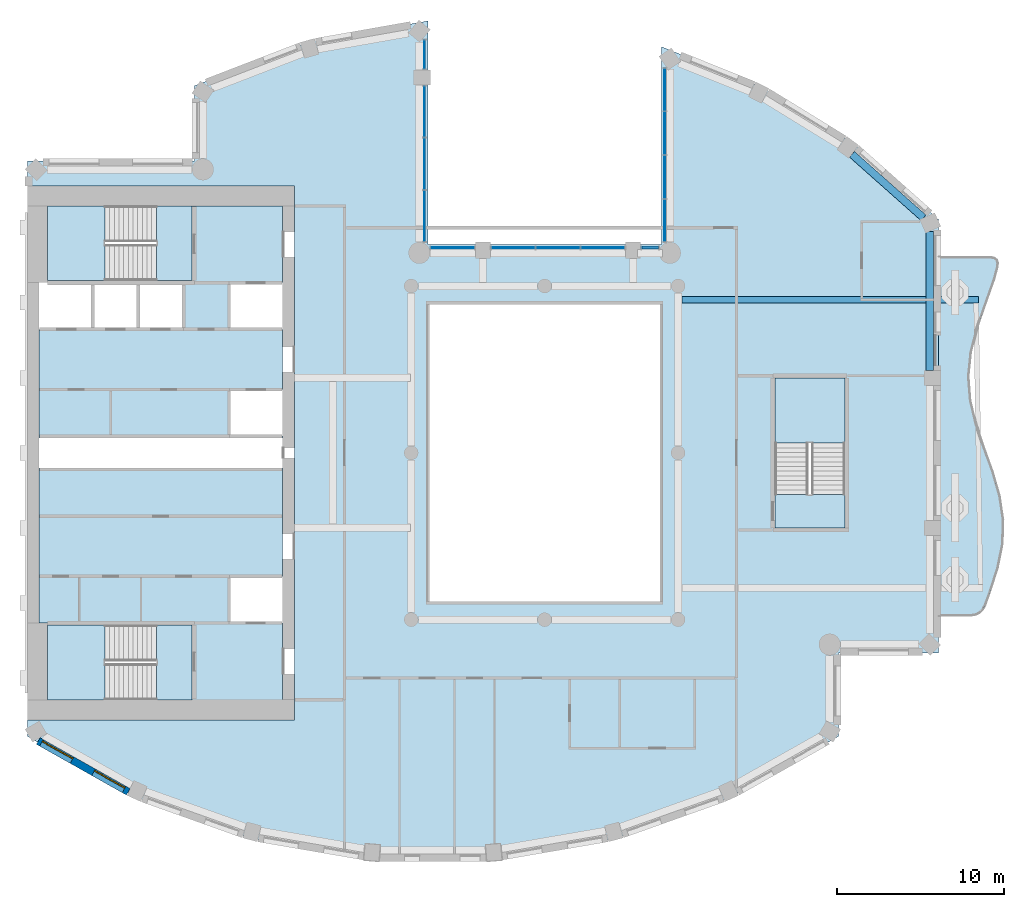
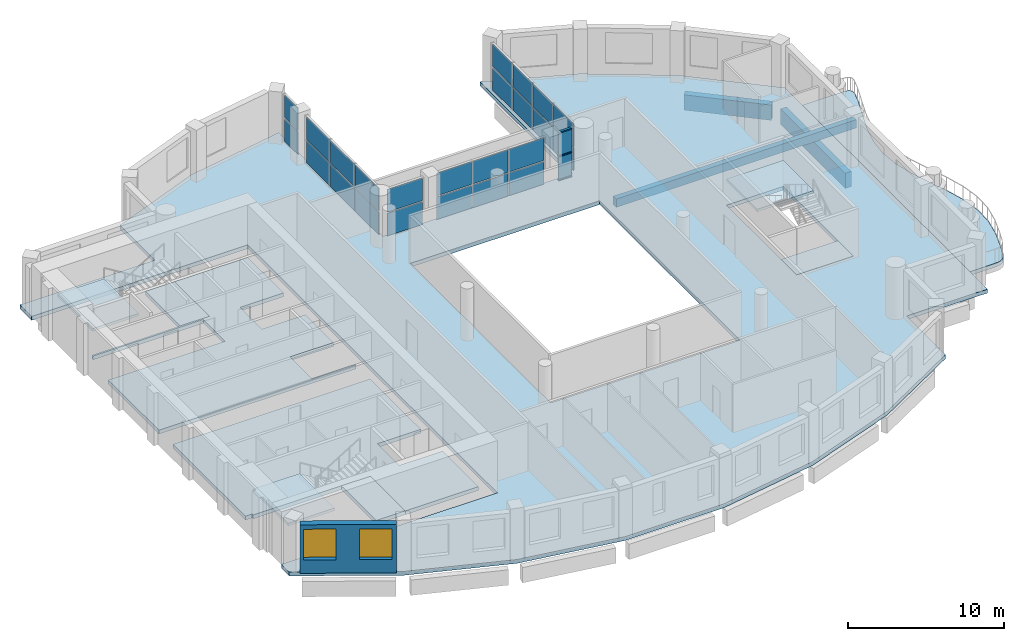
# One storey, part 3 of 14: 26 plates, 10 slabs, 3 beams, 3 members, 2 windows, 1 wall, 2 openings, 9 elements without a shape of their own.
"""IFC4 building model written with IfcOpenShell, lengths in metres."""

from ifc_helpers import new_model, si_unit, direction, frame, frame_2d, origin, origin_2d, place, context, subcontext, project, spatial, polyline, rectangle, outline, extrude, material, layer, layer_set, material_profile, profile_set, type_object, element, fill, aggregate, save


model = new_model("IFC4")

# Units and contexts
model_context = context("Model", 3, precision=1e-05, world=origin(), true_north=direction((0.0, 1.0)))
body_context = subcontext(model_context, "Body", "Model", "MODEL_VIEW")
ifc_project = project(units=[si_unit("LENGTHUNIT", "METRE"), si_unit("AREAUNIT", "SQUARE_METRE"), si_unit("VOLUMEUNIT", "CUBIC_METRE"), si_unit("PLANEANGLEUNIT", "RADIAN"), si_unit("MASSUNIT", "GRAM", prefix="KILO")], contexts=[model_context])

# Site, building, storey
site_placement = place(None, origin())
site = spatial("IfcSite", under=ifc_project, at=site_placement, CompositionType="ELEMENT")
building_placement = place(site_placement, origin())
building = spatial("IfcBuilding", under=site, at=building_placement, Name="Cypress Arch Tower", CompositionType="ELEMENT")
storey_placement = place(building_placement, frame((0.0, 0.0, 263.89990234375)))
storey = spatial("IfcBuildingStorey", under=building, at=storey_placement, Name="L59", CompositionType="ELEMENT", Elevation=263.89990234375)

# Beams
ifc_material_1 = material(Name="Concrete C50/60", Category="concrete")
ifc_material_profile_1 = material_profile(ifc_material_1, rectangle(XDim=0.39990234375, YDim=0.64990234375, at=origin_2d()), Name="RC 400x650")
ifc_profile_set_1 = profile_set([ifc_material_profile_1], Name="Concrete C50/60")
beam_type_1 = type_object("IfcBeamType", Name="Cantilever beam RC 400x650 Concrete C50/60", PredefinedType="BEAM", material=ifc_profile_set_1)
beam_1_placement = place(storey_placement, frame((9.22509765625, 9.1826171875, -0.625), z_axis=(1.0, 0.0, 0.0), x_axis=(0.0, 1.0, 0.0)))
element("IfcBeam", 1, at=beam_1_placement, inside=storey, type_object=beam_type_1, Name="Cantilever beam L59 C17 2", PredefinedType="BEAM", context=body_context, shape_type="SweptSolid", body=[
    extrude(rectangle(XDim=0.39990234375, YDim=0.64990234375, at=origin_2d()), origin(), (0.0, 0.0, 1.0), 17.788330078125),
])
ifc_material_2 = material(Name="Concrete C50/60", Category="concrete")
ifc_material_profile_2 = material_profile(ifc_material_2, rectangle(XDim=0.449951171875, YDim=1.199951171875, at=origin_2d()), Name="RC 450x1200")
ifc_profile_set_2 = profile_set([ifc_material_profile_2], Name="Concrete C50/60")
beam_type_2 = type_object("IfcBeamType", Name="Spandrel beam RC 450x1200 Concrete C50/60", PredefinedType="SPANDREL", material=ifc_profile_set_2)
beam_2_placement = place(storey_placement, frame((24.074951171875, 4.949951171875, -1.5498046875), z_axis=(0.0, 1.0, 0.0), x_axis=(-1.0, 0.0, 0.0)))
element("IfcBeam", 2, at=beam_2_placement, inside=storey, type_object=beam_type_2, Name="Spandrel beam L59 BC17-2", PredefinedType="SPANDREL", context=body_context, shape_type="SweptSolid", body=[
    extrude(rectangle(XDim=0.449951171875, YDim=1.199951171875, at=origin_2d()), origin(), (0.0, 0.0, 1.0), 8.32080078125),
])
beam_3_placement = place(storey_placement, frame((23.706298828125, 14.091796875, -1.5498046875), z_axis=(-0.747555073917, 0.664199827959, 0.0), x_axis=(-0.664199827959, -0.747555073917, 0.0)))
element("IfcBeam", 3, at=beam_3_placement, inside=storey, type_object=beam_type_2, Name="Spandrel beam L59 BC18-0", PredefinedType="SPANDREL", context=body_context, shape_type="SweptSolid", body=[
    extrude(rectangle(XDim=0.449951171875, YDim=1.199951171875, at=origin_2d()), origin(), (0.0, 0.0, 1.0), 5.72900390625),
])

# Curtain wall, members
ifc_material_3 = material(Name="Anodised aluminium, bronze finish, clear laminated double glazing", Category="aluminium")
curtain_wall_type = type_object("IfcCurtainWallType", Name="Curtain wall CW7 slot glazing", PredefinedType="NOTDEFINED", material=ifc_material_3)
curtain_wall_1_placement = place(storey_placement, origin())
curtain_wall_1 = element("IfcCurtainWall", 4, at=curtain_wall_1_placement, inside=storey, type_object=curtain_wall_type, Name="Curtain wall L59 slot C01.0", PredefinedType="NOTDEFINED")
ifc_material_4 = material(Name="Anodised aluminium, bronze finish", Category="aluminium")
ifc_material_profile_3 = material_profile(ifc_material_4, rectangle(XDim=0.179931640625, YDim=0.0849609375, at=origin_2d()), Name="Transom 85x180")
ifc_profile_set_3 = profile_set([ifc_material_profile_3], Name="Anodised aluminium, bronze finish")
member_type = type_object("IfcMemberType", Name="Transom CW7 85x180", PredefinedType="USERDEFINED", material=ifc_profile_set_3)
member_1_placement = place(storey_placement, frame((7.8134765625, 12.300048828125, 0.04248046875), z_axis=(-1.0, 0.0, 0.0), x_axis=(0.0, -1.0, 0.0)))
member_1 = element("IfcMember", 5, at=member_1_placement, type_object=member_type, Name="CW7 transom 1.1", ObjectType="TRANSOM", PredefinedType="USERDEFINED", context=body_context, shape_type="SweptSolid", body=[
    extrude(rectangle(XDim=0.179931640625, YDim=0.0849609375, at=origin_2d()), origin(), (0.0, 0.0, 1.0), 0.978515625),
])
member_2_placement = place(storey_placement, frame((7.8134765625, 12.300048828125, 1.900146484375), z_axis=(-1.0, 0.0, 0.0), x_axis=(0.0, -1.0, 0.0)))
member_2 = element("IfcMember", 6, at=member_2_placement, type_object=member_type, Name="CW7 transom 1.2", ObjectType="TRANSOM", PredefinedType="USERDEFINED", context=body_context, shape_type="SweptSolid", body=[
    extrude(rectangle(XDim=0.179931640625, YDim=0.0849609375, at=origin_2d()), origin(), (0.0, 0.0, 1.0), 0.978515625),
])
member_3_placement = place(storey_placement, frame((7.8134765625, 12.300048828125, 3.757568359375), z_axis=(-1.0, 0.0, 0.0), x_axis=(0.0, -1.0, 0.0)))
member_3 = element("IfcMember", 7, at=member_3_placement, type_object=member_type, Name="CW7 transom 1.3", ObjectType="TRANSOM", PredefinedType="USERDEFINED", context=body_context, shape_type="SweptSolid", body=[
    extrude(rectangle(XDim=0.179931640625, YDim=0.0849609375, at=origin_2d()), origin(), (0.0, 0.0, 1.0), 0.978515625),
])

# Slabs
ifc_material_5 = material(Name="Concrete C40/50", Category="concrete")
ifc_layer_1 = layer(ifc_material_5, 0.300048828125)
ifc_layer_set_1 = layer_set([ifc_layer_1], Name="Balcony slab BS300")
slab_type_1 = type_object("IfcSlabType", Name="Balcony slab BS300", PredefinedType="USERDEFINED", material=ifc_layer_set_1)
slab_1_placement = place(storey_placement, frame((0.0, 0.0, -0.2998046875)))
element("IfcSlab", 8, at=slab_1_placement, inside=storey, type_object=slab_type_1, Name="Balcony slab L59-C17", ObjectType="BALCONY SLAB", PredefinedType="USERDEFINED", context=body_context, shape_type="SweptSolid", body=[
    extrude(outline(polyline([(24.60009765625, -9.75), (26.4921875, -9.75), (26.806884765625, -9.709716796875), (27.065185546875, -9.5888671875), (27.266845703125, -9.38720703125), (27.412109375, -9.10498046875), (27.697998046875, -8.316650390625), (28.1572265625, -6.88330078125), (28.44287109375, -5.449951171875), (28.485107421875, -4.0166015625), (28.273681640625, -2.583251953125), (27.8603515625, -1.14990234375), (27.346435546875, 0.283447265625), (26.85791015625, 1.716552734375), (26.514404296875, 3.14990234375), (26.400390625, 4.583251953125), (26.543701171875, 6.0166015625), (26.9091796875, 7.449951171875), (27.4072265625, 8.88330078125), (27.915771484375, 10.316650390625), (28.132568359375, 11.10498046875), (28.16845703125, 11.38720703125), (28.098388671875, 11.5888671875), (27.922607421875, 11.709716796875), (27.64111328125, 11.75), (24.60009765625, 11.75), (24.60009765625, -9.75)])), origin(), (0.0, 0.0, 1.0), 0.2998046875),
])
ifc_material_6 = material(Name="Concrete C40/50", Category="concrete")
ifc_layer_2 = layer(ifc_material_6, 0.300048828125)
ifc_layer_set_2 = layer_set([ifc_layer_2], Name="Core floor CF300")
slab_type_2 = type_object("IfcSlabType", Name="Core floor CF300", PredefinedType="FLOOR", material=ifc_layer_set_2)
slab_2_placement = place(storey_placement, frame((0.0, 0.0, -0.2998046875)))
element("IfcSlab", 9, at=slab_2_placement, inside=storey, type_object=slab_type_2, Name="Core floor", PredefinedType="FLOOR", context=body_context, shape_type="SweptSolid", body=[
    extrude(outline(polyline([(-28.89990234375, -10.199951171875), (-29.300048828125, -10.199951171875), (-29.300048828125, -0.89990234375), (-28.89990234375, -0.89990234375), (-15.10009765625, -0.89990234375), (-14.699951171875, -0.89990234375), (-14.699951171875, -7.39990234375), (-15.10009765625, -7.39990234375), (-17.919921875, -7.39990234375), (-17.919921875, -10.199951171875), (-15.10009765625, -10.199951171875), (-14.699951171875, -10.199951171875), (-14.699951171875, -14.800048828125), (-15.10009765625, -14.800048828125), (-20.125, -14.800048828125), (-20.125, -10.324951171875), (-22.27490234375, -10.324951171875), (-28.800048828125, -10.324951171875), (-28.800048828125, -10.199951171875), (-28.89990234375, -10.199951171875)])), origin(), (0.0, 0.0, 1.0), 0.2998046875),
])
slab_3_placement = place(storey_placement, frame((0.0, 0.0, -0.2998046875)))
element("IfcSlab", 10, at=slab_3_placement, inside=storey, type_object=slab_type_2, Name="Core floor", PredefinedType="FLOOR", context=body_context, shape_type="SweptSolid", body=[
    extrude(outline(polyline([(-22.27490234375, -10.324951171875), (-22.27490234375, -14.800048828125), (-20.125, -14.800048828125), (-20.125, -10.324951171875), (-22.27490234375, -10.324951171875)])), origin(), (0.0, 0.0, 1.0), 0.2998046875),
])
slab_4_placement = place(storey_placement, frame((0.0, 0.0, -0.2998046875)))
element("IfcSlab", 11, at=slab_4_placement, inside=storey, type_object=slab_type_2, Name="Core floor", PredefinedType="FLOOR", context=body_context, shape_type="SweptSolid", body=[
    extrude(outline(polyline([(-20.125, 14.800048828125), (-22.27490234375, 14.800048828125), (-22.27490234375, 10.324951171875), (-20.125, 10.324951171875), (-20.125, 14.800048828125)])), origin(), (0.0, 0.0, 1.0), 0.2998046875),
])
slab_5_placement = place(storey_placement, frame((0.0, 0.0, -0.2998046875)))
element("IfcSlab", 12, at=slab_5_placement, inside=storey, type_object=slab_type_2, Name="Stair floor landing", PredefinedType="FLOOR", context=body_context, shape_type="SweptSolid", body=[
    extrude(outline(polyline([(19.0, -4.5), (19.0, -2.5), (14.800048828125, -2.5), (14.800048828125, -4.5), (19.0, -4.5)])), origin(), (0.0, 0.0, 1.0), 0.2998046875),
])
slab_6_placement = place(storey_placement, frame((0.0, 0.0, -0.2998046875)))
element("IfcSlab", 13, at=slab_6_placement, inside=storey, type_object=slab_type_2, Name="Core floor", PredefinedType="FLOOR", context=body_context, shape_type="SweptSolid", body=[
    extrude(outline(polyline([(-20.639892578125, 10.199951171875), (-23.360107421875, 10.199951171875), (-26.080078125, 10.199951171875), (-28.800048828125, 10.199951171875), (-28.800048828125, 10.324951171875), (-22.27490234375, 10.324951171875), (-20.125, 10.324951171875), (-20.125, 14.800048828125), (-15.10009765625, 14.800048828125), (-14.699951171875, 14.800048828125), (-14.699951171875, 10.199951171875), (-15.10009765625, 10.199951171875), (-17.919921875, 10.199951171875), (-17.919921875, 7.39990234375), (-15.10009765625, 7.39990234375), (-14.699951171875, 7.39990234375), (-14.699951171875, 3.800048828125), (-15.10009765625, 3.800048828125), (-17.919921875, 3.800048828125), (-17.919921875, 1.5), (-17.919921875, 1.0), (-17.5, 1.0), (-15.10009765625, 1.0), (-14.699951171875, 1.0), (-14.699951171875, 0.89990234375), (-15.10009765625, 0.89990234375), (-17.5, 0.89990234375), (-18.300048828125, 0.89990234375), (-28.89990234375, 0.89990234375), (-29.300048828125, 0.89990234375), (-29.300048828125, 1.5), (-29.300048828125, 7.39990234375), (-28.89990234375, 7.39990234375), (-26.080078125, 7.39990234375), (-23.360107421875, 7.39990234375), (-20.639892578125, 7.39990234375), (-20.639892578125, 10.199951171875)])), origin(), (0.0, 0.0, 1.0), 0.2998046875),
])

# Curtain wall, plates
curtain_wall_2_placement = place(storey_placement, origin())
curtain_wall_2 = element("IfcCurtainWall", 14, at=curtain_wall_2_placement, inside=storey, type_object=curtain_wall_type, Name="Curtain wall L59 slot C00.0", PredefinedType="NOTDEFINED")
ifc_material_7 = material(Name="Clear laminated double glazing", Category="glass")
ifc_layer_3 = layer(ifc_material_7, 0.0439453125)
ifc_layer_set_3 = layer_set([ifc_layer_3], Name="Glass panel CW7 44")
plate_type = type_object("IfcPlateType", Name="Glass panel CW7 44", PredefinedType="CURTAIN_PANEL", material=ifc_layer_set_3)
plate_1_placement = place(storey_placement, frame((8.199951171875, 21.768798828125, 0.085205078125), z_axis=(0.0, 0.0, 1.0), x_axis=(0.0, -1.0, 0.0)))
plate_1 = element("IfcPlate", 15, at=plate_1_placement, type_object=plate_type, Name="CW7 panel 1.1", PredefinedType="CURTAIN_PANEL", context=body_context, shape_type="SweptSolid", body=[
    extrude(rectangle(XDim=2.497802734375, YDim=0.0439453125, at=origin_2d()), origin(), (0.0, 0.0, 1.0), 1.7724609375),
])
plate_2_placement = place(storey_placement, frame((8.199951171875, 21.768798828125, 1.942626953125), z_axis=(0.0, 0.0, 1.0), x_axis=(0.0, -1.0, 0.0)))
plate_2 = element("IfcPlate", 16, at=plate_2_placement, type_object=plate_type, Name="CW7 panel 1.2", PredefinedType="CURTAIN_PANEL", context=body_context, shape_type="SweptSolid", body=[
    extrude(rectangle(XDim=2.497802734375, YDim=0.0439453125, at=origin_2d()), origin(), (0.0, 0.0, 1.0), 1.7724609375),
])
plate_3_placement = place(storey_placement, frame((8.199951171875, 19.164794921875, 0.085205078125), z_axis=(0.0, 0.0, 1.0), x_axis=(0.0, -1.0, 0.0)))
plate_3 = element("IfcPlate", 17, at=plate_3_placement, type_object=plate_type, Name="CW7 panel 2.1", PredefinedType="CURTAIN_PANEL", context=body_context, shape_type="SweptSolid", body=[
    extrude(rectangle(XDim=2.540283203125, YDim=0.0439453125, at=origin_2d()), origin(), (0.0, 0.0, 1.0), 1.7724609375),
])
plate_4_placement = place(storey_placement, frame((8.199951171875, 19.164794921875, 1.942626953125), z_axis=(0.0, 0.0, 1.0), x_axis=(0.0, -1.0, 0.0)))
plate_4 = element("IfcPlate", 18, at=plate_4_placement, type_object=plate_type, Name="CW7 panel 2.2", PredefinedType="CURTAIN_PANEL", context=body_context, shape_type="SweptSolid", body=[
    extrude(rectangle(XDim=2.540283203125, YDim=0.0439453125, at=origin_2d()), origin(), (0.0, 0.0, 1.0), 1.7724609375),
])
plate_5_placement = place(storey_placement, frame((8.199951171875, 16.53955078125, 0.085205078125), z_axis=(0.0, 0.0, 1.0), x_axis=(0.0, -1.0, 0.0)))
plate_5 = element("IfcPlate", 19, at=plate_5_placement, type_object=plate_type, Name="CW7 panel 3.1", PredefinedType="CURTAIN_PANEL", context=body_context, shape_type="SweptSolid", body=[
    extrude(rectangle(XDim=2.540283203125, YDim=0.0439453125, at=origin_2d()), origin(), (0.0, 0.0, 1.0), 1.7724609375),
])
plate_6_placement = place(storey_placement, frame((8.199951171875, 16.53955078125, 1.942626953125), z_axis=(0.0, 0.0, 1.0), x_axis=(0.0, -1.0, 0.0)))
plate_6 = element("IfcPlate", 20, at=plate_6_placement, type_object=plate_type, Name="CW7 panel 3.2", PredefinedType="CURTAIN_PANEL", context=body_context, shape_type="SweptSolid", body=[
    extrude(rectangle(XDim=2.540283203125, YDim=0.0439453125, at=origin_2d()), origin(), (0.0, 0.0, 1.0), 1.7724609375),
])
plate_7_placement = place(storey_placement, frame((8.199951171875, 13.935302734375, 0.085205078125), z_axis=(0.0, 0.0, 1.0), x_axis=(0.0, -1.0, 0.0)))
plate_7 = element("IfcPlate", 21, at=plate_7_placement, type_object=plate_type, Name="CW7 panel 4.1", PredefinedType="CURTAIN_PANEL", context=body_context, shape_type="SweptSolid", body=[
    extrude(rectangle(XDim=2.497802734375, YDim=0.0439453125, at=origin_2d()), origin(), (0.0, 0.0, 1.0), 1.7724609375),
])
plate_8_placement = place(storey_placement, frame((8.199951171875, 13.935302734375, 1.942626953125), z_axis=(0.0, 0.0, 1.0), x_axis=(0.0, -1.0, 0.0)))
plate_8 = element("IfcPlate", 22, at=plate_8_placement, type_object=plate_type, Name="CW7 panel 4.2", PredefinedType="CURTAIN_PANEL", context=body_context, shape_type="SweptSolid", body=[
    extrude(rectangle(XDim=2.497802734375, YDim=0.0439453125, at=origin_2d()), origin(), (0.0, 0.0, 1.0), 1.7724609375),
])
aggregate(curtain_wall_2, [plate_1, plate_2, plate_3, plate_4, plate_5, plate_6, plate_7, plate_8])

# Plate
plate_9_placement = place(storey_placement, frame((7.32421875, 12.300048828125, 0.085205078125), z_axis=(0.0, 0.0, 1.0), x_axis=(-1.0, 0.0, 0.0)))
plate_9 = element("IfcPlate", 23, at=plate_9_placement, type_object=plate_type, Name="CW7 panel 1.1", PredefinedType="CURTAIN_PANEL", context=body_context, shape_type="SweptSolid", body=[
    extrude(rectangle(XDim=0.978515625, YDim=0.0439453125, at=origin_2d()), origin(), (0.0, 0.0, 1.0), 1.7724609375),
])

plate_10_placement = place(storey_placement, frame((7.32421875, 12.300048828125, 1.942626953125), z_axis=(0.0, 0.0, 1.0), x_axis=(-1.0, 0.0, 0.0)))
plate_10 = element("IfcPlate", 24, at=plate_10_placement, type_object=plate_type, Name="CW7 panel 1.2", PredefinedType="CURTAIN_PANEL", context=body_context, shape_type="SweptSolid", body=[
    extrude(rectangle(XDim=0.978515625, YDim=0.0439453125, at=origin_2d()), origin(), (0.0, 0.0, 1.0), 1.7724609375),
])

aggregate(curtain_wall_1, [member_1, member_2, member_3, plate_9, plate_10])

# Curtain wall, plates
curtain_wall_3_placement = place(storey_placement, origin())
curtain_wall_3 = element("IfcCurtainWall", 25, at=curtain_wall_3_placement, inside=storey, type_object=curtain_wall_type, Name="Curtain wall L59 slot C01.1", PredefinedType="NOTDEFINED")
plate_11_placement = place(storey_placement, frame((4.478759765625, 12.300048828125, 0.085205078125), z_axis=(0.0, 0.0, 1.0), x_axis=(-1.0, 0.0, 0.0)))
plate_11 = element("IfcPlate", 26, at=plate_11_placement, type_object=plate_type, Name="CW7 panel 1.1", PredefinedType="CURTAIN_PANEL", context=body_context, shape_type="SweptSolid", body=[
    extrude(rectangle(XDim=2.572509765625, YDim=0.0439453125, at=origin_2d()), origin(), (0.0, 0.0, 1.0), 1.7724609375),
])
plate_12_placement = place(storey_placement, frame((4.478759765625, 12.300048828125, 1.942626953125), z_axis=(0.0, 0.0, 1.0), x_axis=(-1.0, 0.0, 0.0)))
plate_12 = element("IfcPlate", 27, at=plate_12_placement, type_object=plate_type, Name="CW7 panel 1.2", PredefinedType="CURTAIN_PANEL", context=body_context, shape_type="SweptSolid", body=[
    extrude(rectangle(XDim=2.572509765625, YDim=0.0439453125, at=origin_2d()), origin(), (0.0, 0.0, 1.0), 1.7724609375),
])
plate_13_placement = place(storey_placement, frame((1.800048828125, 12.300048828125, 0.085205078125), z_axis=(0.0, 0.0, 1.0), x_axis=(-1.0, 0.0, 0.0)))
plate_13 = element("IfcPlate", 28, at=plate_13_placement, type_object=plate_type, Name="CW7 panel 2.1", PredefinedType="CURTAIN_PANEL", context=body_context, shape_type="SweptSolid", body=[
    extrude(rectangle(XDim=2.614990234375, YDim=0.0439453125, at=origin_2d()), origin(), (0.0, 0.0, 1.0), 1.7724609375),
])
plate_14_placement = place(storey_placement, frame((1.800048828125, 12.300048828125, 1.942626953125), z_axis=(0.0, 0.0, 1.0), x_axis=(-1.0, 0.0, 0.0)))
plate_14 = element("IfcPlate", 29, at=plate_14_placement, type_object=plate_type, Name="CW7 panel 2.2", PredefinedType="CURTAIN_PANEL", context=body_context, shape_type="SweptSolid", body=[
    extrude(rectangle(XDim=2.614990234375, YDim=0.0439453125, at=origin_2d()), origin(), (0.0, 0.0, 1.0), 1.7724609375),
])
plate_15_placement = place(storey_placement, frame((-0.878662109375, 12.300048828125, 0.085205078125), z_axis=(0.0, 0.0, 1.0), x_axis=(-1.0, 0.0, 0.0)))
plate_15 = element("IfcPlate", 30, at=plate_15_placement, type_object=plate_type, Name="CW7 panel 3.1", PredefinedType="CURTAIN_PANEL", context=body_context, shape_type="SweptSolid", body=[
    extrude(rectangle(XDim=2.572509765625, YDim=0.0439453125, at=origin_2d()), origin(), (0.0, 0.0, 1.0), 1.7724609375),
])
plate_16_placement = place(storey_placement, frame((-0.878662109375, 12.300048828125, 1.942626953125), z_axis=(0.0, 0.0, 1.0), x_axis=(-1.0, 0.0, 0.0)))
plate_16 = element("IfcPlate", 31, at=plate_16_placement, type_object=plate_type, Name="CW7 panel 3.2", PredefinedType="CURTAIN_PANEL", context=body_context, shape_type="SweptSolid", body=[
    extrude(rectangle(XDim=2.572509765625, YDim=0.0439453125, at=origin_2d()), origin(), (0.0, 0.0, 1.0), 1.7724609375),
])
aggregate(curtain_wall_3, [plate_11, plate_12, plate_13, plate_14, plate_15, plate_16])

curtain_wall_4_placement = place(storey_placement, origin())
curtain_wall_4 = element("IfcCurtainWall", 32, at=curtain_wall_4_placement, inside=storey, type_object=curtain_wall_type, Name="Curtain wall L59 slot C01.2", PredefinedType="NOTDEFINED")
plate_17_placement = place(storey_placement, frame((-4.524169921875, 12.300048828125, 0.085205078125), z_axis=(0.0, 0.0, 1.0), x_axis=(-1.0, 0.0, 0.0)))
plate_17 = element("IfcPlate", 33, at=plate_17_placement, type_object=plate_type, Name="CW7 panel 1.1", PredefinedType="CURTAIN_PANEL", context=body_context, shape_type="SweptSolid", body=[
    extrude(rectangle(XDim=2.57861328125, YDim=0.0439453125, at=origin_2d()), origin(), (0.0, 0.0, 1.0), 1.7724609375),
])
plate_18_placement = place(storey_placement, frame((-4.524169921875, 12.300048828125, 1.942626953125), z_axis=(0.0, 0.0, 1.0), x_axis=(-1.0, 0.0, 0.0)))
plate_18 = element("IfcPlate", 34, at=plate_18_placement, type_object=plate_type, Name="CW7 panel 1.2", PredefinedType="CURTAIN_PANEL", context=body_context, shape_type="SweptSolid", body=[
    extrude(rectangle(XDim=2.57861328125, YDim=0.0439453125, at=origin_2d()), origin(), (0.0, 0.0, 1.0), 1.7724609375),
])
aggregate(curtain_wall_4, [plate_17, plate_18])

curtain_wall_5_placement = place(storey_placement, origin())
curtain_wall_5 = element("IfcCurtainWall", 35, at=curtain_wall_5_placement, inside=storey, type_object=curtain_wall_type, Name="Curtain wall L59 slot C02.0", PredefinedType="NOTDEFINED")
plate_19_placement = place(storey_placement, frame((-6.199951171875, 14.197509765625, 0.085205078125), z_axis=(0.0, 0.0, 1.0), x_axis=(0.0, 1.0, 0.0)))
plate_19 = element("IfcPlate", 36, at=plate_19_placement, type_object=plate_type, Name="CW7 panel 1.1", PredefinedType="CURTAIN_PANEL", context=body_context, shape_type="SweptSolid", body=[
    extrude(rectangle(XDim=3.02197265625, YDim=0.0439453125, at=origin_2d()), origin(), (0.0, 0.0, 1.0), 1.7724609375),
])
plate_20_placement = place(storey_placement, frame((-6.199951171875, 14.197509765625, 1.942626953125), z_axis=(0.0, 0.0, 1.0), x_axis=(0.0, 1.0, 0.0)))
plate_20 = element("IfcPlate", 37, at=plate_20_placement, type_object=plate_type, Name="CW7 panel 1.2", PredefinedType="CURTAIN_PANEL", context=body_context, shape_type="SweptSolid", body=[
    extrude(rectangle(XDim=3.02197265625, YDim=0.0439453125, at=origin_2d()), origin(), (0.0, 0.0, 1.0), 1.7724609375),
])
plate_21_placement = place(storey_placement, frame((-6.199951171875, 17.32568359375, 0.085205078125), z_axis=(0.0, 0.0, 1.0), x_axis=(0.0, 1.0, 0.0)))
plate_21 = element("IfcPlate", 38, at=plate_21_placement, type_object=plate_type, Name="CW7 panel 2.1", PredefinedType="CURTAIN_PANEL", context=body_context, shape_type="SweptSolid", body=[
    extrude(rectangle(XDim=3.064453125, YDim=0.0439453125, at=origin_2d()), origin(), (0.0, 0.0, 1.0), 1.7724609375),
])
plate_22_placement = place(storey_placement, frame((-6.199951171875, 17.32568359375, 1.942626953125), z_axis=(0.0, 0.0, 1.0), x_axis=(0.0, 1.0, 0.0)))
plate_22 = element("IfcPlate", 39, at=plate_22_placement, type_object=plate_type, Name="CW7 panel 2.2", PredefinedType="CURTAIN_PANEL", context=body_context, shape_type="SweptSolid", body=[
    extrude(rectangle(XDim=3.064453125, YDim=0.0439453125, at=origin_2d()), origin(), (0.0, 0.0, 1.0), 1.7724609375),
])
plate_23_placement = place(storey_placement, frame((-6.199951171875, 20.4541015625, 0.085205078125), z_axis=(0.0, 0.0, 1.0), x_axis=(0.0, 1.0, 0.0)))
plate_23 = element("IfcPlate", 40, at=plate_23_placement, type_object=plate_type, Name="CW7 panel 3.1", PredefinedType="CURTAIN_PANEL", context=body_context, shape_type="SweptSolid", body=[
    extrude(rectangle(XDim=3.02197265625, YDim=0.0439453125, at=origin_2d()), origin(), (0.0, 0.0, 1.0), 1.7724609375),
])
plate_24_placement = place(storey_placement, frame((-6.199951171875, 20.4541015625, 1.942626953125), z_axis=(0.0, 0.0, 1.0), x_axis=(0.0, 1.0, 0.0)))
plate_24 = element("IfcPlate", 41, at=plate_24_placement, type_object=plate_type, Name="CW7 panel 3.2", PredefinedType="CURTAIN_PANEL", context=body_context, shape_type="SweptSolid", body=[
    extrude(rectangle(XDim=3.02197265625, YDim=0.0439453125, at=origin_2d()), origin(), (0.0, 0.0, 1.0), 1.7724609375),
])
aggregate(curtain_wall_5, [plate_19, plate_20, plate_21, plate_22, plate_23, plate_24])

curtain_wall_6_placement = place(storey_placement, origin())
curtain_wall_6 = element("IfcCurtainWall", 42, at=curtain_wall_6_placement, inside=storey, type_object=curtain_wall_type, Name="Curtain wall L59 slot C02.1", PredefinedType="NOTDEFINED")
plate_25_placement = place(storey_placement, frame((-6.199951171875, 23.89111328125, 0.085205078125), z_axis=(0.0, 0.0, 1.0), x_axis=(0.0, 1.0, 0.0)))
plate_25 = element("IfcPlate", 43, at=plate_25_placement, type_object=plate_type, Name="CW7 panel 1.1", PredefinedType="CURTAIN_PANEL", context=body_context, shape_type="SweptSolid", body=[
    extrude(rectangle(XDim=1.71240234375, YDim=0.0439453125, at=origin_2d()), origin(), (0.0, 0.0, 1.0), 1.7724609375),
])
plate_26_placement = place(storey_placement, frame((-6.199951171875, 23.89111328125, 1.942626953125), z_axis=(0.0, 0.0, 1.0), x_axis=(0.0, 1.0, 0.0)))
plate_26 = element("IfcPlate", 44, at=plate_26_placement, type_object=plate_type, Name="CW7 panel 1.2", PredefinedType="CURTAIN_PANEL", context=body_context, shape_type="SweptSolid", body=[
    extrude(rectangle(XDim=1.71240234375, YDim=0.0439453125, at=origin_2d()), origin(), (0.0, 0.0, 1.0), 1.7724609375),
])
aggregate(curtain_wall_6, [plate_25, plate_26])

# Slab
ifc_material_8 = material(Name="Concrete C40/50", Category="concrete")
ifc_layer_4 = layer(ifc_material_8, 0.300048828125)
ifc_layer_set_4 = layer_set([ifc_layer_4], Name="PT flat slab 300 Concrete C40/50")
slab_type_3 = type_object("IfcSlabType", Name="PT flat slab 300 Concrete C40/50", PredefinedType="FLOOR", material=ifc_layer_set_4)
slab_7_placement = place(storey_placement, frame((0.0, 0.0, -0.2998046875)))
element("IfcSlab", 45, at=slab_7_placement, inside=storey, type_object=slab_type_3, Name="Floor slab L59", PredefinedType="FLOOR", context=body_context, shape_type="SweptSolid", body=[
    extrude(outline(polyline([(-30.0, 17.5), (-20.0, 17.5), (-20.0, 22.0), (-13.199951171875, 24.6201171875), (-6.0, 25.889892578125), (-6.0, 12.5), (8.0, 12.5), (8.0, 24.35009765625), (14.0, 21.93994140625), (19.39990234375, 18.6201171875), (24.60009765625, 14.0), (24.60009765625, -12.0), (18.60009765625, -12.0), (18.60009765625, -17.0), (12.179931640625, -20.6201171875), (5.239990234375, -23.090087890625), (-2.02001953125, -24.340087890625), (-9.3798828125, -24.340087890625), (-16.639892578125, -23.090087890625), (-23.580078125, -20.6201171875), (-30.0, -17.0), (-30.0, -16.0), (-14.0, -16.0), (-14.0, 16.0), (-30.0, 16.0), (-30.0, 17.5)]), holes=[polyline([(-6.0, -9.0), (8.0, -9.0), (8.0, 9.0), (-6.0, 9.0), (-6.0, -9.0)]), polyline([(14.800048828125, -4.5), (19.0, -4.5), (19.0, 4.5), (14.800048828125, 4.5), (14.800048828125, -4.5)])]), origin(), (0.0, 0.0, 1.0), 0.2998046875),
])

# Stair, slab
ifc_material_9 = material(Name="Concrete C40/50", Category="concrete")
stair_type_1 = type_object("IfcStairType", Name="Exit stair ES1708-215", PredefinedType="HALF_TURN_STAIR", material=ifc_material_9)
stair_1_placement = place(storey_placement, origin())
stair_1 = element("IfcStair", 46, at=stair_1_placement, inside=storey, type_object=stair_type_1, Name="L59 Exit stair A", PredefinedType="HALF_TURN_STAIR")
ifc_material_10 = material(Name="Concrete C40/50", Category="concrete")
ifc_layer_5 = layer(ifc_material_10, 0.199951171875)
ifc_layer_set_5 = layer_set([ifc_layer_5], Name="Stair landing SL200")
slab_type_4 = type_object("IfcSlabType", Name="Stair landing SL200", PredefinedType="LANDING", material=ifc_layer_set_5)
slab_8_placement = place(storey_placement, frame((0.0, 0.0, 1.85009765625)))
slab_8 = element("IfcSlab", 47, at=slab_8_placement, type_object=slab_type_4, Name="A landing 1", PredefinedType="LANDING", context=body_context, shape_type="SweptSolid", body=[
    extrude(outline(polyline([(-25.35498046875, -10.324951171875), (-28.800048828125, -10.324951171875), (-28.800048828125, -14.800048828125), (-25.35498046875, -14.800048828125), (-25.35498046875, -10.324951171875)])), origin(), (0.0, 0.0, 1.0), 0.199951171875),
])
aggregate(stair_1, [slab_8])

stair_2_placement = place(storey_placement, origin())
stair_2 = element("IfcStair", 48, at=stair_2_placement, inside=storey, type_object=stair_type_1, Name="L59 Exit stair B", PredefinedType="HALF_TURN_STAIR")
slab_9_placement = place(storey_placement, frame((0.0, 0.0, 1.85009765625)))
slab_9 = element("IfcSlab", 49, at=slab_9_placement, type_object=slab_type_4, Name="B landing 1", PredefinedType="LANDING", context=body_context, shape_type="SweptSolid", body=[
    extrude(outline(polyline([(-25.35498046875, 14.800048828125), (-28.800048828125, 14.800048828125), (-28.800048828125, 10.324951171875), (-25.35498046875, 10.324951171875), (-25.35498046875, 14.800048828125)])), origin(), (0.0, 0.0, 1.0), 0.199951171875),
])
aggregate(stair_2, [slab_9])

ifc_material_11 = material(Name="Concrete C40/50", Category="concrete")
stair_type_2 = type_object("IfcStairType", Name="Exit stair ES1708-200", PredefinedType="HALF_TURN_STAIR", material=ifc_material_11)
stair_3_placement = place(storey_placement, origin())
stair_3 = element("IfcStair", 50, at=stair_3_placement, inside=storey, type_object=stair_type_2, Name="L59 Exit stair C", PredefinedType="HALF_TURN_STAIR")
slab_10_placement = place(storey_placement, frame((0.0, 0.0, 1.85009765625)))
slab_10 = element("IfcSlab", 51, at=slab_10_placement, type_object=slab_type_4, Name="C landing 1", PredefinedType="LANDING", context=body_context, shape_type="SweptSolid", body=[
    extrude(outline(polyline([(19.0, 0.580078125), (19.0, 4.5), (14.800048828125, 4.5), (14.800048828125, 0.580078125), (19.0, 0.580078125)])), origin(), (0.0, 0.0, 1.0), 0.199951171875),
])
aggregate(stair_3, [slab_10])

# Wall, openings, windows
ifc_material_12 = material(Name="Brick (red buff blend)", Category="masonry")
ifc_layer_6 = layer(ifc_material_12, 0.449951171875)
ifc_layer_set_6 = layer_set([ifc_layer_6], Name="Brick pier and spandrel wall BW450")
wall_type = type_object("IfcWallType", Name="Brick pier and spandrel wall BW450", PredefinedType="SOLIDWALL", material=ifc_layer_set_6)
wall_placement = place(storey_placement, frame((-29.3564453125, -17.276611328125, 0.0), z_axis=(0.0, 0.0, 1.0), x_axis=(0.871065783524, -0.491166367714, 0.0)))
wall = element("IfcWall", 52, at=wall_placement, inside=storey, type_object=wall_type, Name="Brick wall L59 C08.0", PredefinedType="SOLIDWALL", context=body_context, shape_type="SweptSolid", body=[
    extrude(rectangle(XDim=6.1962890625, YDim=0.449951171875, at=frame_2d((3.09814453125, 0.0))), origin(), (0.0, 0.0, 1.0), 3.800048828125),
])
opening_1_placement = place(wall_placement, frame((0.22119140625, 0.0, 1.050048828125)))
opening_1 = element("IfcOpeningElement", 53, at=opening_1_placement, cuts=wall, Name="Opening W210O", PredefinedType="OPENING", context=body_context, shape_type="SweptSolid", body=[
    extrude(rectangle(XDim=2.10009765625, YDim=2.39990234375, at=frame_2d((1.050048828125, 1.199951171875))), frame((0.0, 0.23486328125, 0.0), z_axis=(0.0, -1.0, 0.0), x_axis=(1.0, 0.0, 0.0)), (0.0, 0.0, 1.0), 0.469970703125),
])
opening_2_placement = place(wall_placement, frame((3.8056640625, 0.0, 1.050048828125)))
opening_2 = element("IfcOpeningElement", 54, at=opening_2_placement, cuts=wall, Name="Opening W210O", PredefinedType="OPENING", context=body_context, shape_type="SweptSolid", body=[
    extrude(rectangle(XDim=2.10009765625, YDim=2.39990234375, at=frame_2d((1.050048828125, 1.199951171875))), frame((0.0, 0.23486328125, 0.0), z_axis=(0.0, -1.0, 0.0), x_axis=(1.0, 0.0, 0.0)), (0.0, 0.0, 1.0), 0.469970703125),
])
ifc_material_13 = material(Name="Anodised aluminium, bronze finish, clear low-emissivity double glazing", Category="aluminium")
window_type = type_object("IfcWindowType", Name="Window Office 2100x2400", PartitioningType="SINGLE_PANEL", PredefinedType="WINDOW", material=ifc_material_13)
window_1_placement = place(opening_1_placement, origin())
window_1 = element("IfcWindow", 55, at=window_1_placement, inside=storey, type_object=window_type, Name="Window L59 C08.0.1", OverallHeight=2.39990234375, OverallWidth=2.10009765625, PartitioningType="SINGLE_PANEL", PredefinedType="WINDOW", context=body_context, shape_type="SweptSolid", body=[
    extrude(rectangle(XDim=2.10009765625, YDim=2.39990234375, at=frame_2d((1.050048828125, 1.199951171875))), frame((0.0, 0.135009765625, 0.0), z_axis=(0.0, -1.0, 0.0), x_axis=(1.0, 0.0, 0.0)), (0.0, 0.0, 1.0), 0.06005859375),
])
fill(opening_1, window_1)
window_2_placement = place(opening_2_placement, origin())
window_2 = element("IfcWindow", 56, at=window_2_placement, inside=storey, type_object=window_type, Name="Window L59 C08.0.2", OverallHeight=2.39990234375, OverallWidth=2.10009765625, PartitioningType="SINGLE_PANEL", PredefinedType="WINDOW", context=body_context, shape_type="SweptSolid", body=[
    extrude(rectangle(XDim=2.10009765625, YDim=2.39990234375, at=frame_2d((1.050048828125, 1.199951171875))), frame((0.0, 0.135009765625, 0.0), z_axis=(0.0, -1.0, 0.0), x_axis=(1.0, 0.0, 0.0)), (0.0, 0.0, 1.0), 0.06005859375),
])
fill(opening_2, window_2)

save(model, "model.ifc")
